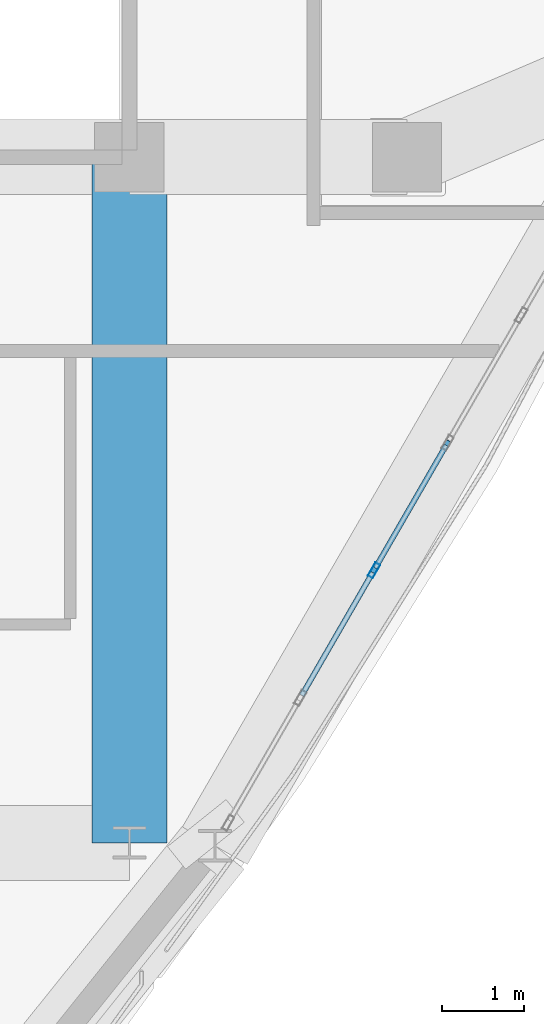
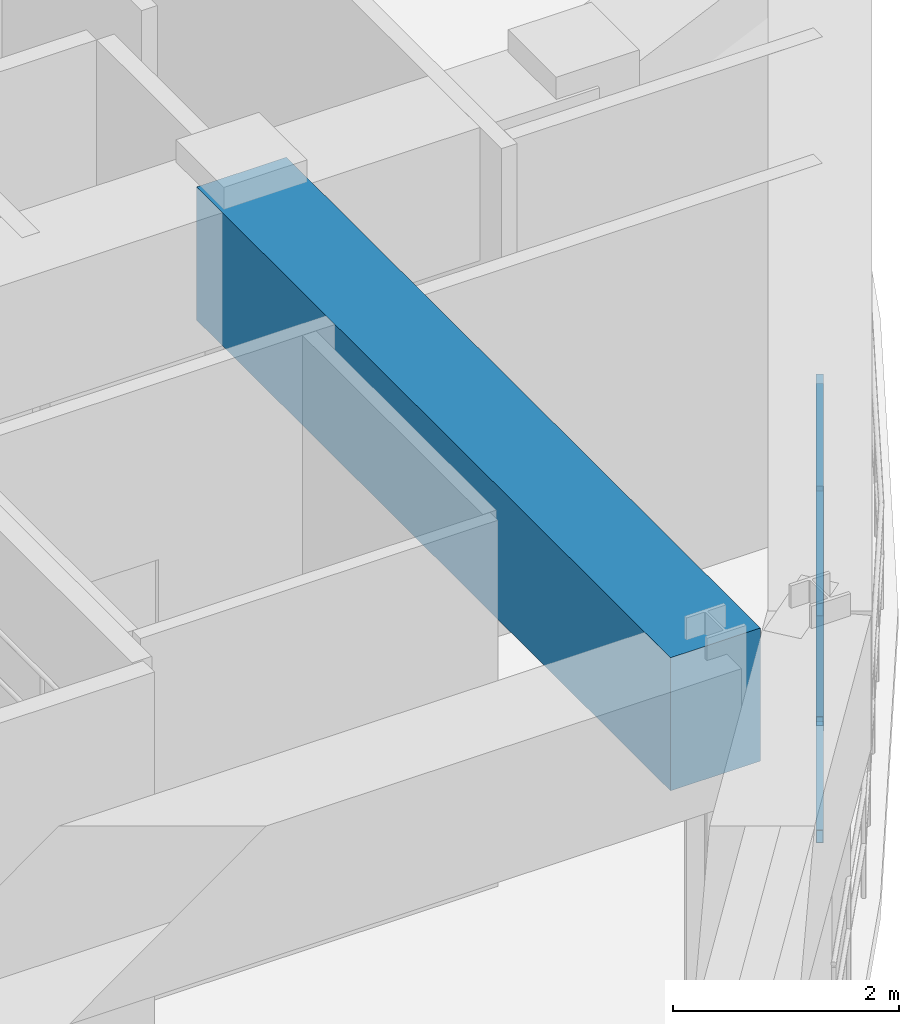
# One storey, part 4 of 18: 6 members, 1 beam, 1 element without a shape of its own.
"""IFC4 building model written with IfcOpenShell, lengths in metres."""

from ifc_helpers import new_model, si_unit, derived_unit, direction, frame, origin, origin_2d, place, context, subcontext, project, spatial, rectangle, hollow_rectangle, extrude, source, transform, mapped, material, layer, layer_set, material_profile, profile_set, type_object, element, aggregate, save


model = new_model("IFC4")

# Units and contexts
model_context = context("Model", 3, precision=1e-05, world=origin(), true_north=direction((0.0, 1.0)))
body_context = subcontext(model_context, "Body", "Model", "MODEL_VIEW")
ifc_project = project(units=[si_unit("LENGTHUNIT", "METRE"), si_unit("AREAUNIT", "SQUARE_METRE"), si_unit("VOLUMEUNIT", "CUBIC_METRE"), si_unit("PLANEANGLEUNIT", "RADIAN"), si_unit("MASSUNIT", "GRAM", prefix="KILO"), derived_unit("THERMALTRANSMITTANCEUNIT", [(si_unit("POWERUNIT", "WATT"), 1), (si_unit("LENGTHUNIT", "METRE"), -2), (si_unit("THERMODYNAMICTEMPERATUREUNIT", "KELVIN"), -1)])], contexts=[model_context])

# Site, building, storey
site_placement = place(None, origin())
site = spatial("IfcSite", under=ifc_project, at=site_placement, CompositionType="ELEMENT")
building_placement = place(site_placement, origin())
building = spatial("IfcBuilding", under=site, at=building_placement, Name="Korsvarv Bourse and Concert Hall", CompositionType="ELEMENT")
storey_placement = place(building_placement, frame((0.0, 0.0, 275.39990234375)))
storey = spatial("IfcBuildingStorey", under=building, at=storey_placement, Name="L72", CompositionType="ELEMENT", Elevation=275.39990234375)

# Beam
ifc_material_1 = material(Name="Concrete C50/60", Category="concrete")
ifc_material_profile_1 = material_profile(ifc_material_1, rectangle(XDim=0.919921875, YDim=1.43994140625, at=origin_2d()), Name="RC-BM 920x1440")
ifc_profile_set_1 = profile_set([ifc_material_profile_1], Name="Concrete C50/60")
beam_type = type_object("IfcBeamType", Name="BM-TR-144", PredefinedType="BEAM", material=ifc_profile_set_1)
shared_shape_1 = source(origin(), body_context, "Body", "SweptSolid", [
    extrude(rectangle(XDim=0.919921875, YDim=1.43994140625, at=origin_2d()), origin(), (0.0, 0.0, 1.0), 8.39990234375),
])
beam_placement = place(storey_placement, frame((44.39990234375, 24.0, 3.239990234375), z_axis=(0.0, 1.0, 0.0), x_axis=(-1.0, 0.0, 0.0)))
element("IfcBeam", 1, at=beam_placement, inside=storey, type_object=beam_type, Name="L72 beam B-TR4", PredefinedType="BEAM", context=body_context, shape_type="MappedRepresentation", body=[
    mapped(shared_shape_1, transform((0.0, 0.0, 0.0), scale=1.0)),
])

# Curtain wall, members
ifc_material_2 = material(Name="Anodised aluminium and triple low-E glazing", Category="glass")
ifc_layer = layer(ifc_material_2, 0.18994140625)
ifc_layer_set = layer_set([ifc_layer], Name="Anodised aluminium and triple low-E glazing")
curtain_wall_type = type_object("IfcCurtainWallType", Name="CW-SYS-4", PredefinedType="NOTDEFINED", material=ifc_layer_set)
curtain_wall_placement = place(storey_placement, origin())
curtain_wall = element("IfcCurtainWall", 2, at=curtain_wall_placement, inside=storey, type_object=curtain_wall_type, Name="L72 CW4 curtain wall CW-L72-F11", PredefinedType="NOTDEFINED")
ifc_material_3 = material(Name="Extruded aluminium EN AW-6063 T66", Category="aluminium")
ifc_material_profile_2 = material_profile(ifc_material_3, hollow_rectangle(XDim=0.070068359375, YDim=0.18994140625, WallThickness=0.0048828125, at=origin_2d()), Name="ALU-M 70x190")
ifc_profile_set_2 = profile_set([ifc_material_profile_2], Name="Extruded aluminium EN AW-6063 T66")
member_type_1 = type_object("IfcMemberType", Name="CWM-190", PredefinedType="MULLION", material=ifc_profile_set_2)
shared_shape_2 = source(origin(), body_context, "Body", "SweptSolid", [
    extrude(hollow_rectangle(XDim=0.070068359375, YDim=0.18994140625, WallThickness=0.0048828125, at=origin_2d()), origin(), (0.0, 0.0, 1.0), 2.52001953125),
])
member_1_placement = place(storey_placement, frame((47.3955078125, 27.338134765625, 0.0), z_axis=(0.0, 0.0, 1.0), x_axis=(-0.866023090804, 0.500004006179, 0.0)))
member_1 = element("IfcMember", 3, at=member_1_placement, type_object=member_type_1, Name="CW4 mullion 3", PredefinedType="MULLION", context=body_context, shape_type="MappedRepresentation", body=[
    mapped(shared_shape_2, transform((0.0, 0.0, 0.0), scale=1.0)),
])
ifc_material_profile_3 = material_profile(ifc_material_3, hollow_rectangle(XDim=0.06494140625, YDim=0.139892578125, WallThickness=0.00390625, at=origin_2d()), Name="ALU-T 65x140")
ifc_profile_set_3 = profile_set([ifc_material_profile_3], Name="Extruded aluminium EN AW-6063 T66")
member_type_2 = type_object("IfcMemberType", Name="CWT-140", PredefinedType="USERDEFINED", material=ifc_profile_set_3)
shared_shape_3 = source(origin(), body_context, "Body", "SweptSolid", [
    extrude(hollow_rectangle(XDim=0.06494140625, YDim=0.139892578125, WallThickness=0.00390625, at=origin_2d()), origin(), (0.0, 0.0, 1.0), 1.733642578125),
])
member_2_placement = place(storey_placement, frame((46.51123046875, 25.806396484375, 0.03271484375), z_axis=(0.499925626596, 0.866068339032, 0.0), x_axis=(-0.866068339032, 0.499925626596, 0.0)))
member_2 = element("IfcMember", 4, at=member_2_placement, type_object=member_type_2, Name="CW4 transom 2.1", ObjectType="TRANSOM", PredefinedType="USERDEFINED", context=body_context, shape_type="MappedRepresentation", body=[
    mapped(shared_shape_3, transform((0.0, 0.0, 0.0), scale=1.0)),
])
member_3_placement = place(storey_placement, frame((46.51123046875, 25.806396484375, 2.487548828125), z_axis=(0.499925626596, 0.866068339032, 0.0), x_axis=(-0.866068339032, 0.499925626596, 0.0)))
member_3 = element("IfcMember", 5, at=member_3_placement, type_object=member_type_2, Name="CW4 transom 2.2", ObjectType="TRANSOM", PredefinedType="USERDEFINED", context=body_context, shape_type="MappedRepresentation", body=[
    mapped(shared_shape_3, transform((0.0, 0.0, 0.0), scale=1.0)),
])
member_4_placement = place(storey_placement, frame((47.4130859375, 27.368408203125, 0.03271484375), z_axis=(0.499925626596, 0.866068339032, 0.0), x_axis=(-0.866068339032, 0.499925626596, 0.0)))
member_4 = element("IfcMember", 6, at=member_4_placement, type_object=member_type_2, Name="CW4 transom 3.1", ObjectType="TRANSOM", PredefinedType="USERDEFINED", context=body_context, shape_type="MappedRepresentation", body=[
    mapped(shared_shape_3, transform((0.0, 0.0, 0.0), scale=1.0)),
])
member_5_placement = place(storey_placement, frame((47.4130859375, 27.368408203125, 2.487548828125), z_axis=(0.499925626596, 0.866068339032, 0.0), x_axis=(-0.866068339032, 0.499925626596, 0.0)))
member_5 = element("IfcMember", 7, at=member_5_placement, type_object=member_type_2, Name="CW4 transom 3.2", ObjectType="TRANSOM", PredefinedType="USERDEFINED", context=body_context, shape_type="MappedRepresentation", body=[
    mapped(shared_shape_3, transform((0.0, 0.0, 0.0), scale=1.0)),
])
ifc_material_profile_4 = material_profile(ifc_material_3, hollow_rectangle(XDim=0.06494140625, YDim=0.1650390625, WallThickness=0.0048828125, at=origin_2d()), Name="ALU-M 65x165")
ifc_profile_set_4 = profile_set([ifc_material_profile_4], Name="Extruded aluminium EN AW-6063 T66")
member_type_3 = type_object("IfcMemberType", Name="CWM-165", PredefinedType="MULLION", material=ifc_profile_set_4)
shared_shape_4 = source(origin(), body_context, "Body", "SweptSolid", [
    extrude(hollow_rectangle(XDim=0.06494140625, YDim=0.1650390625, WallThickness=0.0048828125, at=origin_2d()), origin(), (0.0, 0.0, 1.0), 2.952392578125),
])
member_6_placement = place(storey_placement, frame((47.4130859375, 27.368408203125, 0.065185546875), z_axis=(0.29354935258, 0.50854324461, 0.809452003494), x_axis=(-0.866068339032, 0.499925626596, 0.0)))
member_6 = element("IfcMember", 8, at=member_6_placement, type_object=member_type_3, Name="CW4 diagonal mullion 3", PredefinedType="MULLION", context=body_context, shape_type="MappedRepresentation", body=[
    mapped(shared_shape_4, transform((0.0, 0.0, 0.0), scale=1.0)),
])
aggregate(curtain_wall, [member_1, member_2, member_3, member_4, member_5, member_6])

save(model, "model.ifc")
